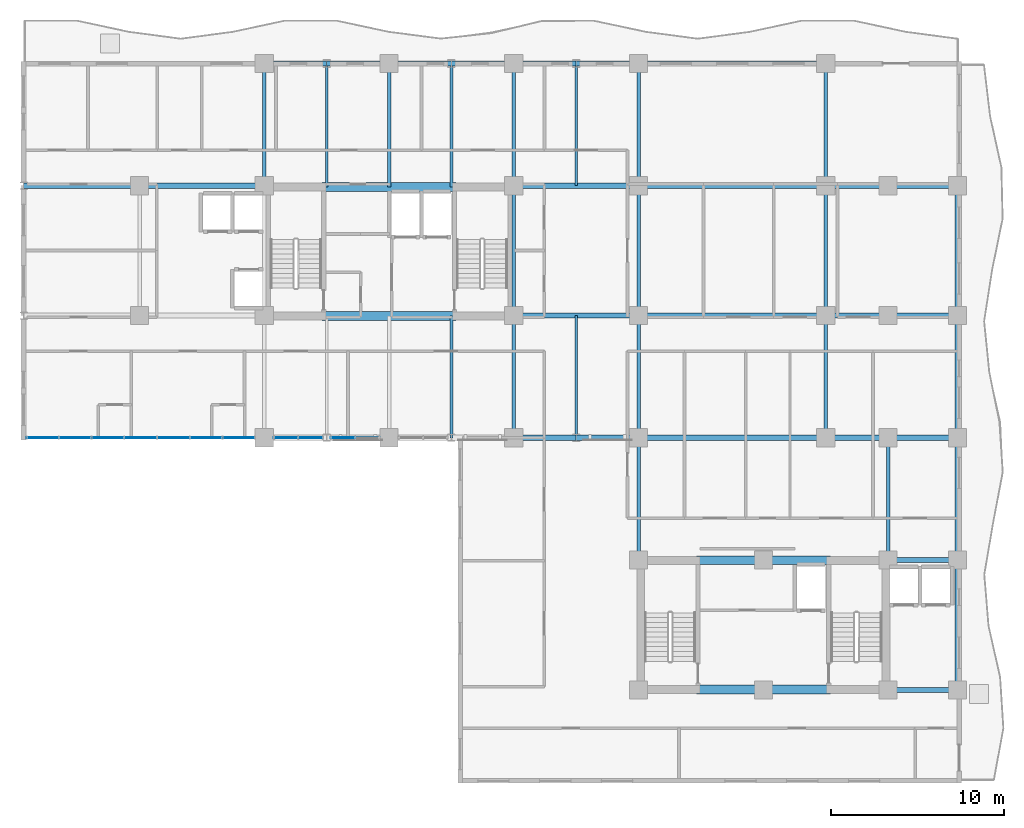
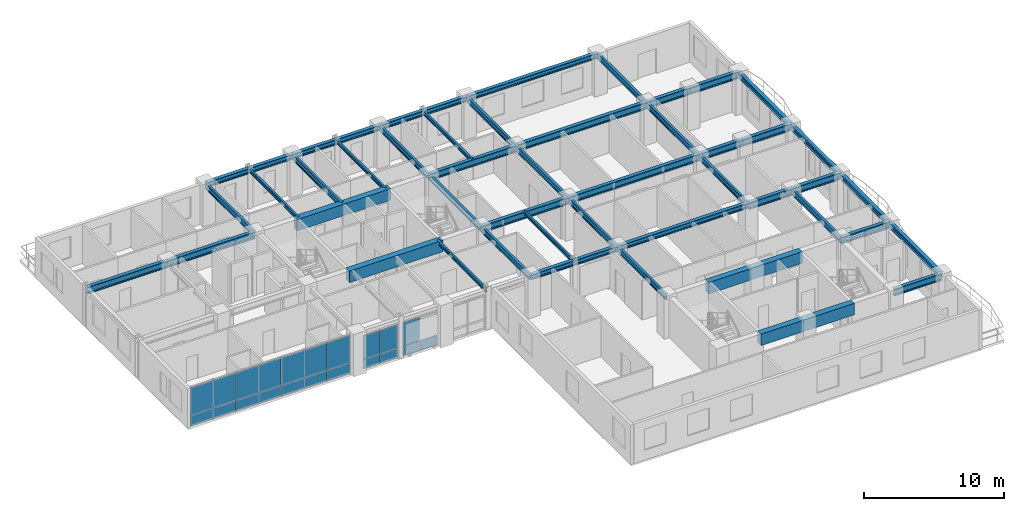
# One storey, part 7 of 17: 50 beams, 15 plates, 3 elements without a shape of their own.
"""IFC4 building model written with IfcOpenShell, lengths in metres."""

from ifc_helpers import new_model, si_unit, direction, frame, origin, origin_2d, place, context, subcontext, project, spatial, rectangle, i_section, extrude, source, transform, mapped, material, layer, layer_set, material_profile, profile_set, type_object, element, aggregate, save


model = new_model("IFC4")

# Units and contexts
model_context = context("Model", 3, precision=1e-05, world=origin(), true_north=direction((0.0, 1.0)))
body_context = subcontext(model_context, "Body", "Model", "MODEL_VIEW")
ifc_project = project(units=[si_unit("LENGTHUNIT", "METRE"), si_unit("AREAUNIT", "SQUARE_METRE"), si_unit("VOLUMEUNIT", "CUBIC_METRE"), si_unit("PLANEANGLEUNIT", "RADIAN"), si_unit("MASSUNIT", "GRAM", prefix="KILO")], contexts=[model_context])

# Site, building, storey
site_placement = place(None, origin())
site = spatial("IfcSite", under=ifc_project, at=site_placement, CompositionType="ELEMENT")
building_placement = place(site_placement, origin())
building = spatial("IfcBuilding", under=site, at=building_placement, Name="Kaliganga Portal Commons", CompositionType="ELEMENT")
storey_placement = place(building_placement, frame((0.0, 0.0, 143.89990234375)))
storey = spatial("IfcBuildingStorey", under=building, at=storey_placement, Name="L36", CompositionType="ELEMENT", Elevation=143.89990234375)

# Beams
ifc_material_1 = material(Name="Concrete C50/60", Category="concrete")
ifc_material_profile_1 = material_profile(ifc_material_1, rectangle(XDim=0.5, YDim=1.0, at=origin_2d()), Name="RC 500x1000")
ifc_profile_set_1 = profile_set([ifc_material_profile_1], Name="Concrete C50/60")
beam_type_1 = type_object("IfcBeamType", Name="BM-CPL-1000", PredefinedType="LINTEL", material=ifc_profile_set_1)
shared_shape_1 = source(origin(), body_context, "Body", "SweptSolid", [
    extrude(rectangle(XDim=0.5, YDim=1.0, at=origin_2d()), origin(), (0.0, 0.0, 1.0), 7.739990234375),
])
for number, where, z_axis, x_axis, name in (
    (1, (17.72998046875, 28.625, 2.960205078125), (1.0, 0.0, 0.0), (0.0, 1.0, 0.0), "BM CPL COREA L36 S"),
    (2, (17.72998046875, 36.074951171875, 2.960205078125), (1.0, 0.0, 0.0), (0.0, 1.0, 0.0), "BM CPL COREA L36 N"),
    (3, (39.330078125, 7.074951171875, 2.960205078125), (1.0, 0.0, 0.0), (0.0, 1.0, 0.0), "BM CPL COREB L36 S"),
    (4, (39.330078125, 14.52490234375, 2.960205078125), (1.0, 0.0, 0.0), (0.0, 1.0, 0.0), "BM CPL COREB L36 N"),
):
    element("IfcBeam", number, at=place(storey_placement, frame(where, z_axis=z_axis, x_axis=x_axis)), inside=storey, type_object=beam_type_1, Name=name, PredefinedType="LINTEL", context=body_context, shape_type="MappedRepresentation", body=[
        mapped(shared_shape_1, transform((0.0, 0.0, 0.0), x_axis=(1.0, 0.0, 0.0), y_axis=(0.0, 1.0, 0.0), z_axis=(0.0, 0.0, 1.0), scale=1.0)),
    ])
ifc_material_2 = material(Name="Structural steel S355J2", Category="steel")
ifc_material_profile_2 = material_profile(ifc_material_2, i_section(OverallWidth=0.199951171875, OverallDepth=0.5, WebThickness=0.01025390625, FlangeThickness=0.01611328125, FilletRadius=0.02099609375, at=origin_2d()), Name="IPE 500")
ifc_profile_set_2 = profile_set([ifc_material_profile_2], Name="Structural steel S355J2 wide-flange")
beam_type_2 = type_object("IfcBeamType", Name="BM-FLR-500", PredefinedType="BEAM", material=ifc_profile_set_2)
shared_shape_2 = source(origin(), body_context, "Body", "SweptSolid", [
    extrude(i_section(OverallWidth=0.199951171875, OverallDepth=0.5, WebThickness=0.01025390625, FlangeThickness=0.01611328125, FilletRadius=0.02099609375, at=origin_2d()), origin(), (0.0, 0.0, 1.0), 7.5),
])
for number, where, z_axis, x_axis, name in (
    (5, (28.800048828125, 28.64990234375, 3.210205078125), (0.0, 1.0, 0.0), (-1.0, 0.0, 0.0), "BM G L36 AM288"),
    (6, (36.0, 28.64990234375, 3.210205078125), (0.0, 1.0, 0.0), (-1.0, 0.0, 0.0), "BM G L36 AM360"),
    (7, (46.800048828125, 28.64990234375, 3.210205078125), (0.0, 1.0, 0.0), (-1.0, 0.0, 0.0), "BM G L36 AM468"),
):
    element("IfcBeam", number, at=place(storey_placement, frame(where, z_axis=z_axis, x_axis=x_axis)), inside=storey, type_object=beam_type_2, Name=name, PredefinedType="BEAM", context=body_context, shape_type="MappedRepresentation", body=[
        mapped(shared_shape_2, transform((0.0, 0.0, 0.0), x_axis=(1.0, 0.0, 0.0), y_axis=(0.0, 1.0, 0.0), z_axis=(0.0, 0.0, 1.0), scale=1.0)),
    ])
shared_shape_3 = source(origin(), body_context, "Body", "SweptSolid", [
    extrude(i_section(OverallWidth=0.199951171875, OverallDepth=0.5, WebThickness=0.01025390625, FlangeThickness=0.01611328125, FilletRadius=0.02099609375, at=origin_2d()), origin(), (0.0, 0.0, 1.0), 7.050048828125),
])
for number, where, z_axis, x_axis, name in (
    (8, (14.39990234375, 36.14990234375, 3.210205078125), (0.0, 1.0, 0.0), (-1.0, 0.0, 0.0), "BM G L36 AN144"),
    (9, (28.800048828125, 36.14990234375, 3.210205078125), (0.0, 1.0, 0.0), (-1.0, 0.0, 0.0), "BM G L36 AN288"),
    (10, (36.0, 36.14990234375, 3.210205078125), (0.0, 1.0, 0.0), (-1.0, 0.0, 0.0), "BM G L36 AN360"),
    (11, (46.800048828125, 36.14990234375, 3.210205078125), (0.0, 1.0, 0.0), (-1.0, 0.0, 0.0), "BM G L36 AN468"),
    (12, (36.0, 14.550048828125, 3.210205078125), (0.0, 1.0, 0.0), (-1.0, 0.0, 0.0), "BM G L36 BNK360"),
    (13, (50.39990234375, 14.550048828125, 3.210205078125), (0.0, 1.0, 0.0), (-1.0, 0.0, 0.0), "BM G L36 BNK504"),
):
    element("IfcBeam", number, at=place(storey_placement, frame(where, z_axis=z_axis, x_axis=x_axis)), inside=storey, type_object=beam_type_2, Name=name, PredefinedType="BEAM", context=body_context, shape_type="MappedRepresentation", body=[
        mapped(shared_shape_3, transform((0.0, 0.0, 0.0), x_axis=(1.0, 0.0, 0.0), y_axis=(0.0, 1.0, 0.0), z_axis=(0.0, 0.0, 1.0), scale=1.0)),
    ])
shared_shape_4 = source(origin(), body_context, "Body", "SweptSolid", [
    extrude(i_section(OverallWidth=0.199951171875, OverallDepth=0.5, WebThickness=0.01025390625, FlangeThickness=0.01611328125, FilletRadius=0.02099609375, at=origin_2d()), origin(), (0.0, 0.0, 1.0), 7.0498046875),
])
for number, where, z_axis, x_axis, name in (
    (14, (28.800048828125, 21.60009765625, 3.210205078125), (0.0, 1.0, 0.0), (-1.0, 0.0, 0.0), "BM G L36 AS288"),
    (15, (36.0, 21.60009765625, 3.210205078125), (0.0, 1.0, 0.0), (-1.0, 0.0, 0.0), "BM G L36 AS360"),
    (16, (46.800048828125, 21.60009765625, 3.210205078125), (0.0, 1.0, 0.0), (-1.0, 0.0, 0.0), "BM G L36 AS468"),
):
    element("IfcBeam", number, at=place(storey_placement, frame(where, z_axis=z_axis, x_axis=x_axis)), inside=storey, type_object=beam_type_2, Name=name, PredefinedType="BEAM", context=body_context, shape_type="MappedRepresentation", body=[
        mapped(shared_shape_4, transform((0.0, 0.0, 0.0), x_axis=(1.0, 0.0, 0.0), y_axis=(0.0, 1.0, 0.0), z_axis=(0.0, 0.0, 1.0), scale=1.0)),
    ])
ifc_material_profile_3 = material_profile(ifc_material_2, i_section(OverallWidth=0.300048828125, OverallDepth=0.449951171875, WebThickness=0.013916015625, FlangeThickness=0.02587890625, FilletRadius=0.027099609375, at=origin_2d()), Name="HE 450 B")
ifc_profile_set_3 = profile_set([ifc_material_profile_3], Name="Structural steel S355J2 wide-flange")
beam_type_3 = type_object("IfcBeamType", Name="BM-SPAND-450", PredefinedType="SPANDREL", material=ifc_profile_set_3)
shared_shape_5 = source(origin(), body_context, "Body", "SweptSolid", [
    extrude(i_section(OverallWidth=0.300048828125, OverallDepth=0.449951171875, WebThickness=0.013916015625, FlangeThickness=0.02587890625, FilletRadius=0.027099609375, at=origin_2d()), origin(), (0.0, 0.0, 1.0), 3.60009765625),
])
for number, where, z_axis, x_axis, name in (
    (17, (14.39990234375, 43.199951171875, 3.235107421875), (1.0, 0.0, 0.0), (0.0, 1.0, 0.0), "BM SP L36 AN 1"),
    (18, (18.0, 43.199951171875, 3.235107421875), (1.0, 0.0, 0.0), (0.0, 1.0, 0.0), "BM SP L36 AN 2"),
    (19, (25.199951171875, 43.199951171875, 3.235107421875), (1.0, 0.0, 0.0), (0.0, 1.0, 0.0), "BM SP L36 AN 4"),
    (20, (32.39990234375, 43.199951171875, 3.235107421875), (1.0, 0.0, 0.0), (0.0, 1.0, 0.0), "BM SP L36 AN 6"),
    (21, (32.39990234375, 21.60009765625, 3.235107421875), (1.0, 0.0, 0.0), (0.0, 1.0, 0.0), "BM SP L36 AS 6"),
):
    element("IfcBeam", number, at=place(storey_placement, frame(where, z_axis=z_axis, x_axis=x_axis)), inside=storey, type_object=beam_type_3, Name=name, PredefinedType="SPANDREL", context=body_context, shape_type="MappedRepresentation", body=[
        mapped(shared_shape_5, transform((0.0, 0.0, 0.0), x_axis=(1.0, 0.0, 0.0), y_axis=(0.0, 1.0, 0.0), z_axis=(0.0, 0.0, 1.0), scale=1.0)),
    ])
shared_shape_6 = source(origin(), body_context, "Body", "SweptSolid", [
    extrude(i_section(OverallWidth=0.300048828125, OverallDepth=0.449951171875, WebThickness=0.013916015625, FlangeThickness=0.02587890625, FilletRadius=0.027099609375, at=origin_2d()), origin(), (0.0, 0.0, 1.0), 3.599853515625),
])
for number, where, z_axis, x_axis, name in (
    (22, (21.60009765625, 43.199951171875, 3.235107421875), (1.0, 0.0, 0.0), (0.0, 1.0, 0.0), "BM SP L36 AN 3"),
    (23, (28.800048828125, 43.199951171875, 3.235107421875), (1.0, 0.0, 0.0), (0.0, 1.0, 0.0), "BM SP L36 AN 5"),
    (24, (28.800048828125, 21.60009765625, 3.235107421875), (1.0, 0.0, 0.0), (0.0, 1.0, 0.0), "BM SP L36 AS 5"),
):
    element("IfcBeam", number, at=place(storey_placement, frame(where, z_axis=z_axis, x_axis=x_axis)), inside=storey, type_object=beam_type_3, Name=name, PredefinedType="SPANDREL", context=body_context, shape_type="MappedRepresentation", body=[
        mapped(shared_shape_6, transform((0.0, 0.0, 0.0), x_axis=(1.0, 0.0, 0.0), y_axis=(0.0, 1.0, 0.0), z_axis=(0.0, 0.0, 1.0), scale=1.0)),
    ])
shared_shape_7 = source(origin(), body_context, "Body", "SweptSolid", [
    extrude(i_section(OverallWidth=0.300048828125, OverallDepth=0.449951171875, WebThickness=0.013916015625, FlangeThickness=0.02587890625, FilletRadius=0.027099609375, at=origin_2d()), origin(), (0.0, 0.0, 1.0), 10.800048828125),
])
for number, where, z_axis, x_axis, name in (
    (25, (36.0, 43.199951171875, 3.235107421875), (1.0, 0.0, 0.0), (0.0, 1.0, 0.0), "BM SP L36 AN 7"),
    (26, (36.0, 21.60009765625, 3.235107421875), (1.0, 0.0, 0.0), (0.0, 1.0, 0.0), "BM SP L36 AS 7"),
):
    element("IfcBeam", number, at=place(storey_placement, frame(where, z_axis=z_axis, x_axis=x_axis)), inside=storey, type_object=beam_type_3, Name=name, PredefinedType="SPANDREL", context=body_context, shape_type="MappedRepresentation", body=[
        mapped(shared_shape_7, transform((0.0, 0.0, 0.0), x_axis=(1.0, 0.0, 0.0), y_axis=(0.0, 1.0, 0.0), z_axis=(0.0, 0.0, 1.0), scale=1.0)),
    ])
ifc_material_profile_4 = material_profile(ifc_material_2, i_section(OverallWidth=0.159912109375, OverallDepth=0.330078125, WebThickness=0.007568359375, FlangeThickness=0.011474609375, FilletRadius=0.01806640625, at=origin_2d()), Name="IPE 330")
ifc_profile_set_4 = profile_set([ifc_material_profile_4], Name="Structural steel S355J2 wide-flange")
beam_type_4 = type_object("IfcBeamType", Name="BM-JST-330", PredefinedType="JOIST", material=ifc_profile_set_4)
shared_shape_8 = source(origin(), body_context, "Body", "SweptSolid", [
    extrude(i_section(OverallWidth=0.159912109375, OverallDepth=0.330078125, WebThickness=0.007568359375, FlangeThickness=0.011474609375, FilletRadius=0.01806640625, at=origin_2d()), origin(), (0.0, 0.0, 1.0), 7.050048828125),
])
beam_1_placement = place(storey_placement, frame((32.39990234375, 36.14990234375, 3.295166015625), z_axis=(0.0, 1.0, 0.0), x_axis=(-1.0, 0.0, 0.0)))
element("IfcBeam", 27, at=beam_1_placement, inside=storey, type_object=beam_type_4, Name="BM G L36 AN324", PredefinedType="JOIST", context=body_context, shape_type="MappedRepresentation", body=[
    mapped(shared_shape_8, transform((0.0, 0.0, 0.0), x_axis=(1.0, 0.0, 0.0), y_axis=(0.0, 1.0, 0.0), z_axis=(0.0, 0.0, 1.0), scale=1.0)),
])
shared_shape_9 = source(origin(), body_context, "Body", "SweptSolid", [
    extrude(i_section(OverallWidth=0.159912109375, OverallDepth=0.330078125, WebThickness=0.007568359375, FlangeThickness=0.011474609375, FilletRadius=0.01806640625, at=origin_2d()), origin(), (0.0, 0.0, 1.0), 7.0498046875),
])
beam_2_placement = place(storey_placement, frame((32.39990234375, 21.60009765625, 3.295166015625), z_axis=(0.0, 1.0, 0.0), x_axis=(-1.0, 0.0, 0.0)))
element("IfcBeam", 28, at=beam_2_placement, inside=storey, type_object=beam_type_4, Name="BM G L36 AS324", PredefinedType="JOIST", context=body_context, shape_type="MappedRepresentation", body=[
    mapped(shared_shape_9, transform((0.0, 0.0, 0.0), x_axis=(1.0, 0.0, 0.0), y_axis=(0.0, 1.0, 0.0), z_axis=(0.0, 0.0, 1.0), scale=1.0)),
])
shared_shape_10 = source(origin(), body_context, "Body", "SweptSolid", [
    extrude(i_section(OverallWidth=0.300048828125, OverallDepth=0.449951171875, WebThickness=0.013916015625, FlangeThickness=0.02587890625, FilletRadius=0.027099609375, at=origin_2d()), origin(), (0.0, 0.0, 1.0), 7.5),
])
for number, where, z_axis, x_axis, name in (
    (29, (54.39990234375, 7.050048828125, 3.235107421875), (0.0, 1.0, 0.0), (-1.0, 0.0, 0.0), "BM SP L36 BE 1"),
    (30, (54.39990234375, 28.64990234375, 3.235107421875), (0.0, 1.0, 0.0), (-1.0, 0.0, 0.0), "BM SP L36 BE 4"),
):
    element("IfcBeam", number, at=place(storey_placement, frame(where, z_axis=z_axis, x_axis=x_axis)), inside=storey, type_object=beam_type_3, Name=name, PredefinedType="SPANDREL", context=body_context, shape_type="MappedRepresentation", body=[
        mapped(shared_shape_10, transform((0.0, 0.0, 0.0), x_axis=(1.0, 0.0, 0.0), y_axis=(0.0, 1.0, 0.0), z_axis=(0.0, 0.0, 1.0), scale=1.0)),
    ])
shared_shape_11 = source(origin(), body_context, "Body", "SweptSolid", [
    extrude(i_section(OverallWidth=0.300048828125, OverallDepth=0.449951171875, WebThickness=0.013916015625, FlangeThickness=0.02587890625, FilletRadius=0.027099609375, at=origin_2d()), origin(), (0.0, 0.0, 1.0), 7.050048828125),
])
beam_3_placement = place(storey_placement, frame((54.39990234375, 14.550048828125, 3.235107421875), z_axis=(0.0, 1.0, 0.0), x_axis=(-1.0, 0.0, 0.0)))
element("IfcBeam", 31, at=beam_3_placement, inside=storey, type_object=beam_type_3, Name="BM SP L36 BE 2", PredefinedType="SPANDREL", context=body_context, shape_type="MappedRepresentation", body=[
    mapped(shared_shape_11, transform((0.0, 0.0, 0.0), x_axis=(1.0, 0.0, 0.0), y_axis=(0.0, 1.0, 0.0), z_axis=(0.0, 0.0, 1.0), scale=1.0)),
])
shared_shape_12 = source(origin(), body_context, "Body", "SweptSolid", [
    extrude(i_section(OverallWidth=0.300048828125, OverallDepth=0.449951171875, WebThickness=0.013916015625, FlangeThickness=0.02587890625, FilletRadius=0.027099609375, at=origin_2d()), origin(), (0.0, 0.0, 1.0), 7.0498046875),
])
beam_4_placement = place(storey_placement, frame((54.39990234375, 21.60009765625, 3.235107421875), z_axis=(0.0, 1.0, 0.0), x_axis=(-1.0, 0.0, 0.0)))
element("IfcBeam", 32, at=beam_4_placement, inside=storey, type_object=beam_type_3, Name="BM SP L36 BE 3", PredefinedType="SPANDREL", context=body_context, shape_type="MappedRepresentation", body=[
    mapped(shared_shape_12, transform((0.0, 0.0, 0.0), x_axis=(1.0, 0.0, 0.0), y_axis=(0.0, 1.0, 0.0), z_axis=(0.0, 0.0, 1.0), scale=1.0)),
])
ifc_material_profile_5 = material_profile(ifc_material_2, i_section(OverallWidth=0.300048828125, OverallDepth=0.60009765625, WebThickness=0.015380859375, FlangeThickness=0.030029296875, FilletRadius=0.027099609375, at=origin_2d()), Name="HE 600 B")
ifc_profile_set_5 = profile_set([ifc_material_profile_5], Name="Structural steel S355J2 wide-flange")
beam_type_5 = type_object("IfcBeamType", Name="BM-GIRD-600", PredefinedType="USERDEFINED", material=ifc_profile_set_5)
shared_shape_13 = source(origin(), body_context, "Body", "SweptSolid", [
    extrude(i_section(OverallWidth=0.300048828125, OverallDepth=0.60009765625, WebThickness=0.015380859375, FlangeThickness=0.030029296875, FilletRadius=0.027099609375, at=origin_2d()), origin(), (0.0, 0.0, 1.0), 6.699951171875),
])
beam_5_placement = place(storey_placement, frame((0.5, 36.14990234375, 3.16015625), z_axis=(1.0, 0.0, 0.0), x_axis=(0.0, 1.0, 0.0)))
element("IfcBeam", 33, at=beam_5_placement, inside=storey, type_object=beam_type_5, Name="BM G L36 WAH_N 1", ObjectType="GIRDER", PredefinedType="USERDEFINED", context=body_context, shape_type="MappedRepresentation", body=[
    mapped(shared_shape_13, transform((0.0, 0.0, 0.0), x_axis=(1.0, 0.0, 0.0), y_axis=(0.0, 1.0, 0.0), z_axis=(0.0, 0.0, 1.0), scale=1.0)),
])
shared_shape_14 = source(origin(), body_context, "Body", "SweptSolid", [
    extrude(i_section(OverallWidth=0.300048828125, OverallDepth=0.60009765625, WebThickness=0.015380859375, FlangeThickness=0.030029296875, FilletRadius=0.027099609375, at=origin_2d()), origin(), (0.0, 0.0, 1.0), 7.199951171875),
])
for number, where, z_axis, x_axis, name in (
    (34, (7.199951171875, 36.14990234375, 3.16015625), (1.0, 0.0, 0.0), (0.0, 1.0, 0.0), "BM G L36 WAH_N 2"),
    (35, (28.800048828125, 28.64990234375, 3.16015625), (1.0, 0.0, 0.0), (0.0, 1.0, 0.0), "BM G L36 WAE_S 1"),
    (36, (28.800048828125, 36.14990234375, 3.16015625), (1.0, 0.0, 0.0), (0.0, 1.0, 0.0), "BM G L36 WAE_N 1"),
):
    element("IfcBeam", number, at=place(storey_placement, frame(where, z_axis=z_axis, x_axis=x_axis)), inside=storey, type_object=beam_type_5, Name=name, ObjectType="GIRDER", PredefinedType="USERDEFINED", context=body_context, shape_type="MappedRepresentation", body=[
        mapped(shared_shape_14, transform((0.0, 0.0, 0.0), x_axis=(1.0, 0.0, 0.0), y_axis=(0.0, 1.0, 0.0), z_axis=(0.0, 0.0, 1.0), scale=1.0)),
    ])
shared_shape_15 = source(origin(), body_context, "Body", "SweptSolid", [
    extrude(i_section(OverallWidth=0.300048828125, OverallDepth=0.60009765625, WebThickness=0.015380859375, FlangeThickness=0.030029296875, FilletRadius=0.027099609375, at=origin_2d()), origin(), (0.0, 0.0, 1.0), 10.800048828125),
])
for number, where, z_axis, x_axis, name in (
    (37, (36.0, 28.64990234375, 3.16015625), (1.0, 0.0, 0.0), (0.0, 1.0, 0.0), "BM G L36 WAE_S 2"),
    (38, (36.0, 36.14990234375, 3.16015625), (1.0, 0.0, 0.0), (0.0, 1.0, 0.0), "BM G L36 WAE_N 2"),
):
    element("IfcBeam", number, at=place(storey_placement, frame(where, z_axis=z_axis, x_axis=x_axis)), inside=storey, type_object=beam_type_5, Name=name, ObjectType="GIRDER", PredefinedType="USERDEFINED", context=body_context, shape_type="MappedRepresentation", body=[
        mapped(shared_shape_15, transform((0.0, 0.0, 0.0), x_axis=(1.0, 0.0, 0.0), y_axis=(0.0, 1.0, 0.0), z_axis=(0.0, 0.0, 1.0), scale=1.0)),
    ])
shared_shape_16 = source(origin(), body_context, "Body", "SweptSolid", [
    extrude(i_section(OverallWidth=0.159912109375, OverallDepth=0.330078125, WebThickness=0.007568359375, FlangeThickness=0.011474609375, FilletRadius=0.01806640625, at=origin_2d()), origin(), (0.0, 0.0, 1.0), 7.125),
])
for number, where, z_axis, x_axis, name in (
    (39, (18.0, 36.074951171875, 3.295166015625), (0.0, 1.0, 0.0), (-1.0, 0.0, 0.0), "BM G L36 AN180"),
    (40, (25.199951171875, 36.074951171875, 3.295166015625), (0.0, 1.0, 0.0), (-1.0, 0.0, 0.0), "BM G L36 AN252"),
):
    element("IfcBeam", number, at=place(storey_placement, frame(where, z_axis=z_axis, x_axis=x_axis)), inside=storey, type_object=beam_type_4, Name=name, PredefinedType="JOIST", context=body_context, shape_type="MappedRepresentation", body=[
        mapped(shared_shape_16, transform((0.0, 0.0, 0.0), x_axis=(1.0, 0.0, 0.0), y_axis=(0.0, 1.0, 0.0), z_axis=(0.0, 0.0, 1.0), scale=1.0)),
    ])
shared_shape_17 = source(origin(), body_context, "Body", "SweptSolid", [
    extrude(i_section(OverallWidth=0.159912109375, OverallDepth=0.330078125, WebThickness=0.007568359375, FlangeThickness=0.011474609375, FilletRadius=0.01806640625, at=origin_2d()), origin(), (0.0, 0.0, 1.0), 7.02490234375),
])
beam_6_placement = place(storey_placement, frame((25.199951171875, 21.60009765625, 3.295166015625), z_axis=(0.0, 1.0, 0.0), x_axis=(-1.0, 0.0, 0.0)))
element("IfcBeam", 41, at=beam_6_placement, inside=storey, type_object=beam_type_4, Name="BM G L36 AS252", PredefinedType="JOIST", context=body_context, shape_type="MappedRepresentation", body=[
    mapped(shared_shape_17, transform((0.0, 0.0, 0.0), x_axis=(1.0, 0.0, 0.0), y_axis=(0.0, 1.0, 0.0), z_axis=(0.0, 0.0, 1.0), scale=1.0)),
])
shared_shape_18 = source(origin(), body_context, "Body", "SweptSolid", [
    extrude(i_section(OverallWidth=0.199951171875, OverallDepth=0.5, WebThickness=0.01025390625, FlangeThickness=0.01611328125, FilletRadius=0.02099609375, at=origin_2d()), origin(), (0.0, 0.0, 1.0), 7.125),
])
beam_7_placement = place(storey_placement, frame((21.60009765625, 36.074951171875, 3.210205078125), z_axis=(0.0, 1.0, 0.0), x_axis=(-1.0, 0.0, 0.0)))
element("IfcBeam", 42, at=beam_7_placement, inside=storey, type_object=beam_type_2, Name="BM G L36 AN216", PredefinedType="BEAM", context=body_context, shape_type="MappedRepresentation", body=[
    mapped(shared_shape_18, transform((0.0, 0.0, 0.0), x_axis=(1.0, 0.0, 0.0), y_axis=(0.0, 1.0, 0.0), z_axis=(0.0, 0.0, 1.0), scale=1.0)),
])
shared_shape_19 = source(origin(), body_context, "Body", "SweptSolid", [
    extrude(i_section(OverallWidth=0.300048828125, OverallDepth=0.60009765625, WebThickness=0.015380859375, FlangeThickness=0.030029296875, FilletRadius=0.027099609375, at=origin_2d()), origin(), (0.0, 0.0, 1.0), 4.0),
])
for number, where, z_axis, x_axis, name in (
    (43, (50.39990234375, 7.050048828125, 3.16015625), (1.0, 0.0, 0.0), (0.0, 1.0, 0.0), "BM G L36 BKE70 1"),
    (44, (50.39990234375, 14.550048828125, 3.16015625), (1.0, 0.0, 0.0), (0.0, 1.0, 0.0), "BM G L36 BKE146 1"),
    (45, (50.39990234375, 21.60009765625, 3.16015625), (1.0, 0.0, 0.0), (0.0, 1.0, 0.0), "BM G L36 BKE216 2"),
    (46, (50.39990234375, 28.64990234375, 3.16015625), (1.0, 0.0, 0.0), (0.0, 1.0, 0.0), "BM G L36 BKE286 2"),
    (47, (50.39990234375, 36.14990234375, 3.16015625), (1.0, 0.0, 0.0), (0.0, 1.0, 0.0), "BM G L36 BKE362 2"),
):
    element("IfcBeam", number, at=place(storey_placement, frame(where, z_axis=z_axis, x_axis=x_axis)), inside=storey, type_object=beam_type_5, Name=name, ObjectType="GIRDER", PredefinedType="USERDEFINED", context=body_context, shape_type="MappedRepresentation", body=[
        mapped(shared_shape_19, transform((0.0, 0.0, 0.0), x_axis=(1.0, 0.0, 0.0), y_axis=(0.0, 1.0, 0.0), z_axis=(0.0, 0.0, 1.0), scale=1.0)),
    ])
shared_shape_20 = source(origin(), body_context, "Body", "SweptSolid", [
    extrude(i_section(OverallWidth=0.300048828125, OverallDepth=0.60009765625, WebThickness=0.015380859375, FlangeThickness=0.030029296875, FilletRadius=0.027099609375, at=origin_2d()), origin(), (0.0, 0.0, 1.0), 3.599853515625),
])
for number, where, z_axis, x_axis, name in (
    (48, (46.800048828125, 21.60009765625, 3.16015625), (1.0, 0.0, 0.0), (0.0, 1.0, 0.0), "BM G L36 BKE216 1"),
    (49, (46.800048828125, 28.64990234375, 3.16015625), (1.0, 0.0, 0.0), (0.0, 1.0, 0.0), "BM G L36 BKE286 1"),
    (50, (46.800048828125, 36.14990234375, 3.16015625), (1.0, 0.0, 0.0), (0.0, 1.0, 0.0), "BM G L36 BKE362 1"),
):
    element("IfcBeam", number, at=place(storey_placement, frame(where, z_axis=z_axis, x_axis=x_axis)), inside=storey, type_object=beam_type_5, Name=name, ObjectType="GIRDER", PredefinedType="USERDEFINED", context=body_context, shape_type="MappedRepresentation", body=[
        mapped(shared_shape_20, transform((0.0, 0.0, 0.0), x_axis=(1.0, 0.0, 0.0), y_axis=(0.0, 1.0, 0.0), z_axis=(0.0, 0.0, 1.0), scale=1.0)),
    ])

# Curtain wall, plates
ifc_material_3 = material(Name="Anodized Aluminium and Laminated Low-E Glass", Category="aluminium")
ifc_layer_1 = layer(ifc_material_3, 0.2099609375)
ifc_layer_set_1 = layer_set([ifc_layer_1], Name="Anodized Aluminium and Laminated Low-E Glass")
curtain_wall_type = type_object("IfcCurtainWallType", Name="CW-SYS-03", PredefinedType="NOTDEFINED", material=ifc_layer_set_1)
curtain_wall_1_placement = place(storey_placement, origin())
curtain_wall_1 = element("IfcCurtainWall", 51, at=curtain_wall_1_placement, inside=storey, type_object=curtain_wall_type, Name="CW 03 L36 P1E04S1", PredefinedType="NOTDEFINED")
ifc_material_4 = material(Name="Insulated Dark Spandrel Panel", Category="metal")
ifc_layer_2 = layer(ifc_material_4, 0.044921875)
ifc_layer_set_2 = layer_set([ifc_layer_2], Name="Insulated Dark Spandrel Panel")
plate_type_1 = type_object("IfcPlateType", Name="PLT-SPN-45", PredefinedType="SHEET", material=ifc_layer_set_2)
shared_shape_21 = source(origin(), body_context, "Body", "SweptSolid", [
    extrude(rectangle(XDim=3.7412109375, YDim=0.044921875, at=origin_2d()), origin(), (0.0, 0.0, 1.0), 0.929931640625),
])
plate_1_placement = place(storey_placement, frame((2.530517578125, 21.60009765625, 0.01025390625), z_axis=(0.0, 0.0, 1.0), x_axis=(1.0, 0.0, 0.0)))
plate_1 = element("IfcPlate", 52, at=plate_1_placement, type_object=plate_type_1, Name="CW:03:L36:P1E04S1 Spandrel 00", PredefinedType="SHEET", context=body_context, shape_type="MappedRepresentation", body=[
    mapped(shared_shape_21, transform((0.0, 0.0, 0.0), x_axis=(1.0, 0.0, 0.0), y_axis=(0.0, 1.0, 0.0), z_axis=(0.0, 0.0, 1.0), scale=1.0)),
])
plate_2_placement = place(storey_placement, frame((6.311767578125, 21.60009765625, 0.01025390625), z_axis=(0.0, 0.0, 1.0), x_axis=(1.0, 0.0, 0.0)))
plate_2 = element("IfcPlate", 53, at=plate_2_placement, type_object=plate_type_1, Name="CW:03:L36:P1E04S1 Spandrel 02", PredefinedType="SHEET", context=body_context, shape_type="MappedRepresentation", body=[
    mapped(shared_shape_21, transform((0.0, 0.0, 0.0), x_axis=(1.0, 0.0, 0.0), y_axis=(0.0, 1.0, 0.0), z_axis=(0.0, 0.0, 1.0), scale=1.0)),
])
plate_3_placement = place(storey_placement, frame((10.093017578125, 21.60009765625, 0.01025390625), z_axis=(0.0, 0.0, 1.0), x_axis=(1.0, 0.0, 0.0)))
plate_3 = element("IfcPlate", 54, at=plate_3_placement, type_object=plate_type_1, Name="CW:03:L36:P1E04S1 Spandrel 04", PredefinedType="SHEET", context=body_context, shape_type="MappedRepresentation", body=[
    mapped(shared_shape_21, transform((0.0, 0.0, 0.0), x_axis=(1.0, 0.0, 0.0), y_axis=(0.0, 1.0, 0.0), z_axis=(0.0, 0.0, 1.0), scale=1.0)),
])
ifc_material_5 = material(Name="Dark Solar-Control Laminated Low-E IGU", Category="glass")
ifc_layer_3 = layer(ifc_material_5, 0.028076171875)
ifc_layer_set_3 = layer_set([ifc_layer_3], Name="Dark Solar-Control Laminated Low-E IGU")
plate_type_2 = type_object("IfcPlateType", Name="PLT-GLZ-28", PredefinedType="CURTAIN_PANEL", material=ifc_layer_set_3)
shared_shape_22 = source(origin(), body_context, "Body", "SweptSolid", [
    extrude(rectangle(XDim=3.7412109375, YDim=0.028076171875, at=origin_2d()), origin(), (0.0, 0.0, 1.0), 2.409912109375),
])
plate_4_placement = place(storey_placement, frame((2.530517578125, 21.60009765625, 0.9599609375), z_axis=(0.0, 0.0, 1.0), x_axis=(1.0, 0.0, 0.0)))
plate_4 = element("IfcPlate", 55, at=plate_4_placement, type_object=plate_type_2, Name="CW:03:L36:P1E04S1 Vision IGU 00", PredefinedType="CURTAIN_PANEL", context=body_context, shape_type="MappedRepresentation", body=[
    mapped(shared_shape_22, transform((0.0, 0.0, 0.0), x_axis=(1.0, 0.0, 0.0), y_axis=(0.0, 1.0, 0.0), z_axis=(0.0, 0.0, 1.0), scale=1.0)),
])
plate_5_placement = place(storey_placement, frame((6.311767578125, 21.60009765625, 0.9599609375), z_axis=(0.0, 0.0, 1.0), x_axis=(1.0, 0.0, 0.0)))
plate_5 = element("IfcPlate", 56, at=plate_5_placement, type_object=plate_type_2, Name="CW:03:L36:P1E04S1 Vision IGU 02", PredefinedType="CURTAIN_PANEL", context=body_context, shape_type="MappedRepresentation", body=[
    mapped(shared_shape_22, transform((0.0, 0.0, 0.0), x_axis=(1.0, 0.0, 0.0), y_axis=(0.0, 1.0, 0.0), z_axis=(0.0, 0.0, 1.0), scale=1.0)),
])
plate_6_placement = place(storey_placement, frame((10.093017578125, 21.60009765625, 0.9599609375), z_axis=(0.0, 0.0, 1.0), x_axis=(1.0, 0.0, 0.0)))
plate_6 = element("IfcPlate", 57, at=plate_6_placement, type_object=plate_type_2, Name="CW:03:L36:P1E04S1 Vision IGU 04", PredefinedType="CURTAIN_PANEL", context=body_context, shape_type="MappedRepresentation", body=[
    mapped(shared_shape_22, transform((0.0, 0.0, 0.0), x_axis=(1.0, 0.0, 0.0), y_axis=(0.0, 1.0, 0.0), z_axis=(0.0, 0.0, 1.0), scale=1.0)),
])
shared_shape_23 = source(origin(), body_context, "Body", "SweptSolid", [
    extrude(rectangle(XDim=1.8505859375, YDim=0.044921875, at=origin_2d()), origin(), (0.0, 0.0, 1.0), 0.929931640625),
])
plate_7_placement = place(storey_placement, frame((12.9287109375, 21.60009765625, 0.01025390625), z_axis=(0.0, 0.0, 1.0), x_axis=(1.0, 0.0, 0.0)))
plate_7 = element("IfcPlate", 58, at=plate_7_placement, type_object=plate_type_1, Name="CW:03:L36:P1E04S1 Spandrel 06", PredefinedType="SHEET", context=body_context, shape_type="MappedRepresentation", body=[
    mapped(shared_shape_23, transform((0.0, 0.0, 0.0), x_axis=(1.0, 0.0, 0.0), y_axis=(0.0, 1.0, 0.0), z_axis=(0.0, 0.0, 1.0), scale=1.0)),
])
shared_shape_24 = source(origin(), body_context, "Body", "SweptSolid", [
    extrude(rectangle(XDim=1.8505859375, YDim=0.028076171875, at=origin_2d()), origin(), (0.0, 0.0, 1.0), 2.409912109375),
])
plate_8_placement = place(storey_placement, frame((12.9287109375, 21.60009765625, 0.9599609375), z_axis=(0.0, 0.0, 1.0), x_axis=(1.0, 0.0, 0.0)))
plate_8 = element("IfcPlate", 59, at=plate_8_placement, type_object=plate_type_2, Name="CW:03:L36:P1E04S1 Vision IGU 06", PredefinedType="CURTAIN_PANEL", context=body_context, shape_type="MappedRepresentation", body=[
    mapped(shared_shape_24, transform((0.0, 0.0, 0.0), x_axis=(1.0, 0.0, 0.0), y_axis=(0.0, 1.0, 0.0), z_axis=(0.0, 0.0, 1.0), scale=1.0)),
])
aggregate(curtain_wall_1, [plate_1, plate_4, plate_2, plate_5, plate_3, plate_6, plate_7, plate_8])

curtain_wall_2_placement = place(storey_placement, origin())
curtain_wall_2 = element("IfcCurtainWall", 60, at=curtain_wall_2_placement, inside=storey, type_object=curtain_wall_type, Name="CW 03 L36 P1E04S2", PredefinedType="NOTDEFINED")
shared_shape_25 = source(origin(), body_context, "Body", "SweptSolid", [
    extrude(rectangle(XDim=1.3955078125, YDim=0.044921875, at=origin_2d()), origin(), (0.0, 0.0, 1.0), 0.82275390625),
])
plate_9_placement = place(storey_placement, frame((15.643798828125, 21.60009765625, 0.010009765625), z_axis=(0.0, 0.0, 1.0), x_axis=(1.0, 0.0, 0.0)))
plate_9 = element("IfcPlate", 61, at=plate_9_placement, type_object=plate_type_1, Name="CW:03:L36:P1E04S2 Spandrel 00", PredefinedType="SHEET", context=body_context, shape_type="MappedRepresentation", body=[
    mapped(shared_shape_25, transform((0.0, 0.0, 0.0), x_axis=(1.0, 0.0, 0.0), y_axis=(0.0, 1.0, 0.0), z_axis=(0.0, 0.0, 1.0), scale=1.0)),
])
plate_10_placement = place(storey_placement, frame((17.079345703125, 21.60009765625, 0.010009765625), z_axis=(0.0, 0.0, 1.0), x_axis=(1.0, 0.0, 0.0)))
plate_10 = element("IfcPlate", 62, at=plate_10_placement, type_object=plate_type_1, Name="CW:03:L36:P1E04S2 Spandrel 01", PredefinedType="SHEET", context=body_context, shape_type="MappedRepresentation", body=[
    mapped(shared_shape_25, transform((0.0, 0.0, 0.0), x_axis=(1.0, 0.0, 0.0), y_axis=(0.0, 1.0, 0.0), z_axis=(0.0, 0.0, 1.0), scale=1.0)),
])

curtain_wall_3_placement = place(storey_placement, origin())
curtain_wall_3 = element("IfcCurtainWall", 63, at=curtain_wall_3_placement, inside=storey, type_object=curtain_wall_type, Name="CW 03 L36 P1E04S3", PredefinedType="NOTDEFINED")
plate_11_placement = place(storey_placement, frame((18.920654296875, 21.60009765625, 0.010009765625), z_axis=(0.0, 0.0, 1.0), x_axis=(1.0, 0.0, 0.0)))
plate_11 = element("IfcPlate", 64, at=plate_11_placement, type_object=plate_type_1, Name="CW:03:L36:P1E04S3 Spandrel 00", PredefinedType="SHEET", context=body_context, shape_type="MappedRepresentation", body=[
    mapped(shared_shape_25, transform((0.0, 0.0, 0.0), x_axis=(1.0, 0.0, 0.0), y_axis=(0.0, 1.0, 0.0), z_axis=(0.0, 0.0, 1.0), scale=1.0)),
])
plate_12_placement = place(storey_placement, frame((20.356201171875, 21.60009765625, 0.010009765625), z_axis=(0.0, 0.0, 1.0), x_axis=(1.0, 0.0, 0.0)))
plate_12 = element("IfcPlate", 65, at=plate_12_placement, type_object=plate_type_1, Name="CW:03:L36:P1E04S3 Spandrel 01", PredefinedType="SHEET", context=body_context, shape_type="MappedRepresentation", body=[
    mapped(shared_shape_25, transform((0.0, 0.0, 0.0), x_axis=(1.0, 0.0, 0.0), y_axis=(0.0, 1.0, 0.0), z_axis=(0.0, 0.0, 1.0), scale=1.0)),
])

# Plate
shared_shape_26 = source(origin(), body_context, "Body", "SweptSolid", [
    extrude(rectangle(XDim=1.3955078125, YDim=0.028076171875, at=origin_2d()), origin(), (0.0, 0.0, 1.0), 2.067138671875),
])
plate_13_placement = place(storey_placement, frame((15.643798828125, 21.60009765625, 0.85302734375), z_axis=(0.0, 0.0, 1.0), x_axis=(1.0, 0.0, 0.0)))
plate_13 = element("IfcPlate", 66, at=plate_13_placement, type_object=plate_type_2, Name="CW:03:L36:P1E04S2 Vision IGU 00", PredefinedType="CURTAIN_PANEL", context=body_context, shape_type="MappedRepresentation", body=[
    mapped(shared_shape_26, transform((0.0, 0.0, 0.0), x_axis=(1.0, 0.0, 0.0), y_axis=(0.0, 1.0, 0.0), z_axis=(0.0, 0.0, 1.0), scale=1.0)),
])

plate_14_placement = place(storey_placement, frame((17.079345703125, 21.60009765625, 0.85302734375), z_axis=(0.0, 0.0, 1.0), x_axis=(1.0, 0.0, 0.0)))
plate_14 = element("IfcPlate", 67, at=plate_14_placement, type_object=plate_type_2, Name="CW:03:L36:P1E04S2 Vision IGU 01", PredefinedType="CURTAIN_PANEL", context=body_context, shape_type="MappedRepresentation", body=[
    mapped(shared_shape_26, transform((0.0, 0.0, 0.0), x_axis=(1.0, 0.0, 0.0), y_axis=(0.0, 1.0, 0.0), z_axis=(0.0, 0.0, 1.0), scale=1.0)),
])

aggregate(curtain_wall_2, [plate_9, plate_13, plate_10, plate_14])

plate_15_placement = place(storey_placement, frame((18.920654296875, 21.60009765625, 0.85302734375), z_axis=(0.0, 0.0, 1.0), x_axis=(1.0, 0.0, 0.0)))
plate_15 = element("IfcPlate", 68, at=plate_15_placement, type_object=plate_type_2, Name="CW:03:L36:P1E04S3 Vision IGU 00", PredefinedType="CURTAIN_PANEL", context=body_context, shape_type="MappedRepresentation", body=[
    mapped(shared_shape_26, transform((0.0, 0.0, 0.0), x_axis=(1.0, 0.0, 0.0), y_axis=(0.0, 1.0, 0.0), z_axis=(0.0, 0.0, 1.0), scale=1.0)),
])

aggregate(curtain_wall_3, [plate_11, plate_15, plate_12])

save(model, "model.ifc")
